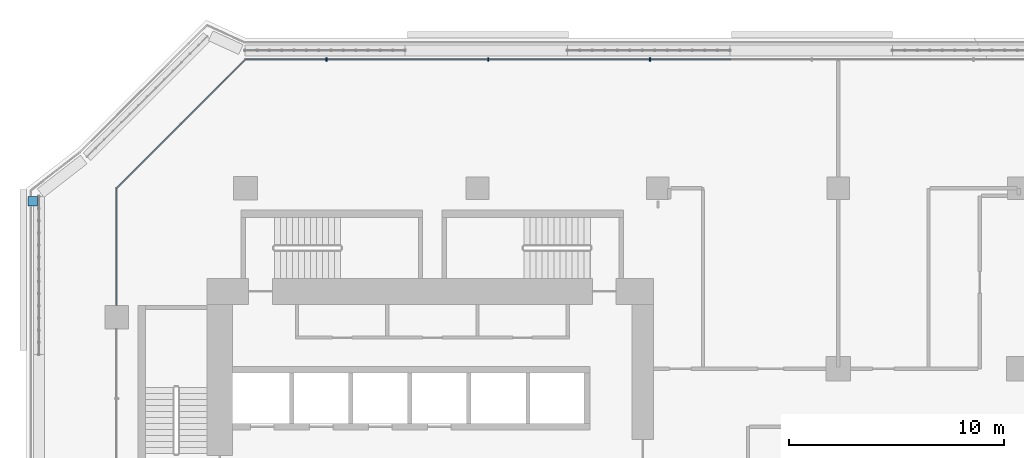
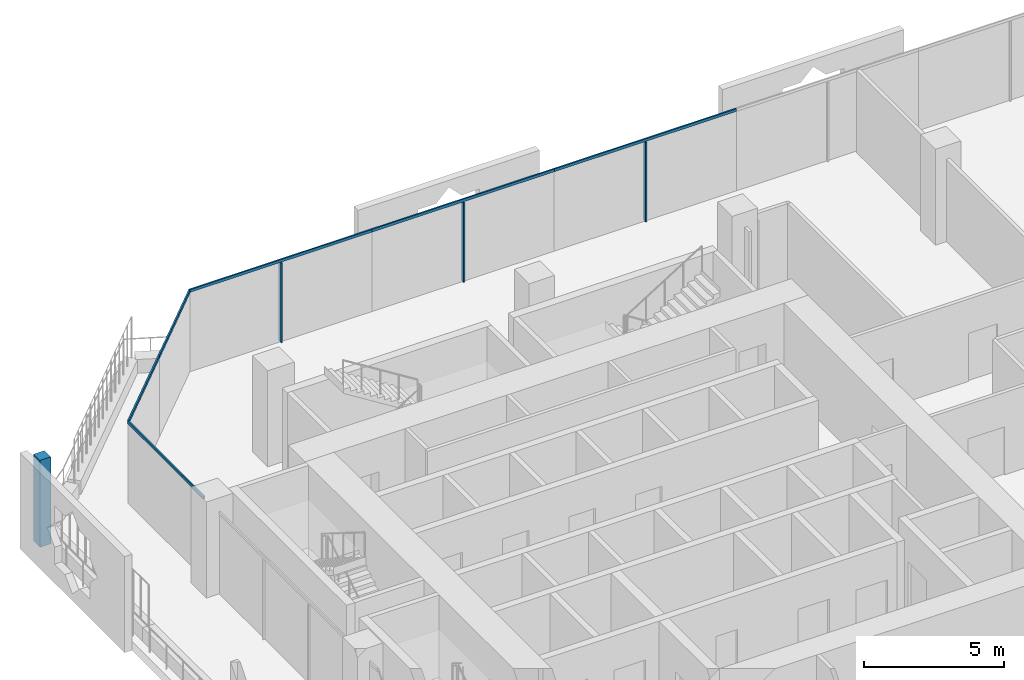
# One storey, part 8 of 27: 10 members, 4 elements without a shape of their own.
"""IFC4 building model written with IfcOpenShell, lengths in metres."""

import ifcopenshell
import ifcopenshell.guid

model = None  # the IFC model being written
_history = None  # IfcOwnerHistory: only IFC2X3 demands one
_inside = {}  # id of a spatial element -> (the spatial element, [elements in it])
_under = {}  # id of a project, library or spatial element -> (it, [spatial elements below it])
_declared = {}  # id of a project -> (the project, [libraries it declares])
_typed = {}  # id of a type object -> (the type object, [elements of that type])
_made_of = {}  # id of a material, layer set ... -> (it, [elements and type objects made of it])


def new_model(schema):
    """Start an empty IFC model of exactly this schema.

    Asked for "IFC4X3", IfcOpenShell would pick the latest addendum, in which some entities
    have other attributes; the version numbers below select the first issue.
    IFC2X3 requires an IfcOwnerHistory on every rooted entity: one is made here for all.
    """
    global model, _history
    if schema == "IFC4X3":
        model = ifcopenshell.file(schema_version=(4, 3, 0, 0))
    else:
        model = ifcopenshell.file(schema=schema)
    _inside.clear()
    _under.clear()
    _declared.clear()
    _typed.clear()
    _made_of.clear()
    _history = None
    if model.schema == "IFC2X3":
        org = make("IfcOrganization", Name="unknown")
        user = make(
            "IfcPersonAndOrganization",
            ThePerson=make("IfcPerson", FamilyName="unknown"),
            TheOrganization=org,
        )
        app = make(
            "IfcApplication",
            ApplicationDeveloper=org,
            Version="unknown",
            ApplicationFullName="unknown",
            ApplicationIdentifier="unknown",
        )
        _history = make(
            "IfcOwnerHistory",
            OwningUser=user,
            OwningApplication=app,
            ChangeAction="ADDED",
            CreationDate=0,
        )
    return model


def make(cls, **values):
    """One entity of the class cls with the attributes given. An attribute that is None is left unset."""
    return model.create_entity(
        cls, **{name: value for name, value in values.items() if value is not None}
    )


def rooted(cls, **values):
    """An entity with a GlobalId (a new one), such as an element, a storey or a relation."""
    return make(cls, GlobalId=ifcopenshell.guid.new(), OwnerHistory=_history, **values)


def si_unit(unit_type, name, prefix=None):
    """IfcSIUnit, for example si_unit("LENGTHUNIT", "METRE", prefix="MILLI")."""
    return make("IfcSIUnit", UnitType=unit_type, Prefix=prefix, Name=name)


def assignment(units):
    """IfcUnitAssignment: the units of a project."""
    return None if units is None else make("IfcUnitAssignment", Units=units)


def point(xyz):
    """IfcCartesianPoint."""
    return None if xyz is None else make("IfcCartesianPoint", Coordinates=xyz)


def direction(xyz):
    """IfcDirection."""
    return None if xyz is None else make("IfcDirection", DirectionRatios=xyz)


def frame(location, z_axis=None, x_axis=None):
    """IfcAxis2Placement3D, a coordinate frame: its origin and axes. An axis left out is left unset."""
    return make(
        "IfcAxis2Placement3D",
        Location=point(location),
        Axis=direction(z_axis),
        RefDirection=direction(x_axis),
    )


def frame_2d(location, x_axis=None):
    """IfcAxis2Placement2D, a coordinate frame in the plane: its origin and x axis."""
    return make(
        "IfcAxis2Placement2D", Location=point(location), RefDirection=direction(x_axis)
    )


def origin():
    """The frame at (0, 0, 0) with its axes left unset."""
    return frame((0.0, 0.0, 0.0))


def origin_2d():
    """The frame at (0, 0) in the plane with its x axis left unset."""
    return frame_2d((0.0, 0.0))


def place(relative_to, where):
    """IfcLocalPlacement: puts the frame where relative to a parent placement (None: the world)."""
    return make(
        "IfcLocalPlacement", PlacementRelTo=relative_to, RelativePlacement=where
    )


def context(
    kind, dimensions, precision=None, world=None, true_north=None, identifier=None
):
    """IfcGeometricRepresentationContext, for example the 3D "Model" context."""
    return make(
        "IfcGeometricRepresentationContext",
        ContextIdentifier=identifier,
        ContextType=kind,
        CoordinateSpaceDimension=dimensions,
        Precision=precision,
        WorldCoordinateSystem=world,
        TrueNorth=true_north,
    )


def subcontext(parent, identifier, kind, view, scale=None):
    """IfcGeometricRepresentationSubContext, for example "Body" below "Model"."""
    return make(
        "IfcGeometricRepresentationSubContext",
        ContextIdentifier=identifier,
        ContextType=kind,
        ParentContext=parent,
        TargetScale=scale,
        TargetView=view,
    )


def project(units=None, contexts=None):
    """IfcProject with its units and contexts."""
    return rooted(
        "IfcProject",
        Name="project",
        RepresentationContexts=contexts,
        UnitsInContext=assignment(units),
    )


def spatial(cls, under=None, at=None, **own):
    """A site, building, storey or space (cls), placed at a placement, below another one or the project."""
    s = rooted(cls, ObjectPlacement=at, **own)
    if under is not None:
        _under.setdefault(under.id(), (under, []))[1].append(s)
    return s


def profile(cls, at=None, kind="AREA", **sizes):
    """A parametric profile (cls). Its sizes go by their IFC names, for example OverallWidth=200.0."""
    return make(cls, ProfileType=kind, Position=at, **sizes)


def rectangle(**sizes):
    """IfcRectangleProfileDef."""
    return profile("IfcRectangleProfileDef", **sizes)


def extrude(swept, where, along, depth):
    """IfcExtrudedAreaSolid: the profile swept, set in the frame where, extruded along a direction by depth."""
    return make(
        "IfcExtrudedAreaSolid",
        SweptArea=swept,
        Position=where,
        ExtrudedDirection=direction(along),
        Depth=depth,
    )


def shape(context_of_items, identifier, shape_type, items):
    """IfcShapeRepresentation: the items that make up one representation, for example the "Body"."""
    return make(
        "IfcShapeRepresentation",
        ContextOfItems=context_of_items,
        RepresentationIdentifier=identifier,
        RepresentationType=shape_type,
        Items=items,
    )


def material(Name=None, Category=None):
    """IfcMaterial."""
    return make("IfcMaterial", Name=Name, Category=Category)


def layer(
    of_material, thickness, ventilated=None, Name=None, Category=None, Priority=None
):
    """IfcMaterialLayer: one layer of a wall or slab, of a material (None: an air gap)."""
    return make(
        "IfcMaterialLayer",
        Material=of_material,
        LayerThickness=thickness,
        IsVentilated=ventilated,
        Name=Name,
        Category=Category,
        Priority=Priority,
    )


def layer_set(layers, Name=None):
    """IfcMaterialLayerSet."""
    return make("IfcMaterialLayerSet", MaterialLayers=layers, LayerSetName=Name)


def material_profile(
    of_material, cross_section, Name=None, Category=None, Priority=None
):
    """IfcMaterialProfile: a cross section and its material."""
    return make(
        "IfcMaterialProfile",
        Name=Name,
        Material=of_material,
        Profile=cross_section,
        Priority=Priority,
        Category=Category,
    )


def profile_set(profiles, Name=None, composite=None):
    """IfcMaterialProfileSet."""
    return make(
        "IfcMaterialProfileSet",
        Name=Name,
        MaterialProfiles=profiles,
        CompositeProfile=composite,
    )


def made_of(thing, what):
    """Note that an element or type object is made of a material, layer set ...; save() writes the relation."""
    if what is not None:
        _made_of.setdefault(what.id(), (what, []))[1].append(thing)
    return thing


def type_object(cls, material=None, **own):
    """A type object (cls), such as IfcWallType, which elements share."""
    return made_of(rooted(cls, **own), material)


def element(
    cls,
    number,
    at=None,
    inside=None,
    cuts=None,
    type_object=None,
    material=None,
    context=None,
    identifier="Body",
    shape_type=None,
    held_by="IfcProductDefinitionShape",
    body=None,
    shapes=None,
    **own,
):
    """One element of the class cls, such as IfcWall. Its Tag is "e" and its number.

    at: its placement. inside: the storey or other place that contains it. cuts: it is an
    opening in that element (IfcRelVoidsElement). A single representation is given by context,
    identifier, shape_type and body (its items); several are given by shapes. held_by: the class
    of the entity that holds the representations. save() writes the other relations.
    """
    e = rooted(cls, Tag="e%d" % number, ObjectPlacement=at, **own)
    if body is not None:
        shapes = [shape(context, identifier, shape_type, body)]
    if shapes is not None:
        e.Representation = make(held_by, Representations=shapes)
    if inside is not None:
        _inside.setdefault(inside.id(), (inside, []))[1].append(e)
    if cuts is not None:
        rooted(
            "IfcRelVoidsElement", RelatingBuildingElement=cuts, RelatedOpeningElement=e
        )
    if type_object is not None:
        _typed.setdefault(type_object.id(), (type_object, []))[1].append(e)
    return made_of(e, material)


def aggregate(whole, parts):
    """IfcRelAggregates: a whole, such as a stair, and the parts it consists of."""
    return rooted("IfcRelAggregates", RelatingObject=whole, RelatedObjects=parts)


def save(model, path):
    """Write the relations noted so far, then the file.

    IfcRelAggregates (storeys below a building ...), IfcRelContainedInSpatialStructure (elements
    in a storey), IfcRelDefinesByType, IfcRelAssociatesMaterial and IfcRelDeclares: one each for
    every whole, place, type object, material and project.
    """
    for whole, parts in _under.values():
        aggregate(whole, parts)
    for where, things in _inside.values():
        rooted(
            "IfcRelContainedInSpatialStructure",
            RelatedElements=things,
            RelatingStructure=where,
        )
    for kind, things in _typed.values():
        rooted("IfcRelDefinesByType", RelatedObjects=things, RelatingType=kind)
    for what, things in _made_of.values():
        rooted("IfcRelAssociatesMaterial", RelatedObjects=things, RelatingMaterial=what)
    for by, libraries in _declared.values():
        rooted("IfcRelDeclares", RelatingContext=by, RelatedDefinitions=libraries)
    model.write(path)


model = new_model("IFC4")

# Units and contexts
model_context = context("Model", 3, precision=1e-05, world=origin(), true_north=direction((0.0, 1.0)))
body_context = subcontext(model_context, "Body", "Model", "MODEL_VIEW")
ifc_project = project(units=[si_unit("LENGTHUNIT", "METRE"), si_unit("AREAUNIT", "SQUARE_METRE"), si_unit("VOLUMEUNIT", "CUBIC_METRE"), si_unit("PLANEANGLEUNIT", "RADIAN"), si_unit("MASSUNIT", "GRAM", prefix="KILO")], contexts=[model_context])

# Site, building, storey
site_placement = place(None, origin())
site = spatial("IfcSite", under=ifc_project, at=site_placement, CompositionType="ELEMENT")
building_placement = place(site_placement, origin())
building = spatial("IfcBuilding", under=site, at=building_placement, Name="Kawkab Arch Medical Tower", CompositionType="ELEMENT")
storey_placement = place(building_placement, frame((0.0, 0.0, 103.0)))
storey = spatial("IfcBuildingStorey", under=building, at=storey_placement, Name="L23", CompositionType="ELEMENT", Elevation=103.0)

# Curtain wall, members
ifc_material_1 = material(Name="Bronze anodised aluminium curtain wall frame", Category="aluminium")
ifc_layer_1 = layer(ifc_material_1, 0.159912109375)
ifc_layer_set_1 = layer_set([ifc_layer_1], Name="Bronze anodised aluminium curtain wall frame")
curtain_wall_type_1 = type_object("IfcCurtainWallType", Name="CW1 ward curtain wall", PredefinedType="NOTDEFINED", material=ifc_layer_set_1)
placement = place(storey_placement, origin())
curtain_wall_1 = element("IfcCurtainWall", 1, at=placement, inside=storey, type_object=curtain_wall_type_1, Name="CW1 Ward curtain wall R11", PredefinedType="NOTDEFINED")
ifc_material_2 = material(Name="Bronze anodised aluminium curtain wall frame", Category="aluminium")
ifc_material_profile_1 = material_profile(ifc_material_2, rectangle(XDim=0.179931640625, YDim=0.06005859375, at=origin_2d()), Name="AL 60x180")
ifc_profile_set_1 = profile_set([ifc_material_profile_1], Name="Bronze anodised aluminium curtain wall frame")
member_type_1 = type_object("IfcMemberType", Name="CW1 mullion 60 x 180", PredefinedType="MULLION", material=ifc_profile_set_1)
member_1_placement = place(storey_placement, frame((24.833251953125, 6.0, 0.0), z_axis=(0.0, 0.0, 1.0), x_axis=(0.0, -1.0, 0.0)))
member_1 = element("IfcMember", 2, at=member_1_placement, type_object=member_type_1, Name="CW1 mullion 7.1", PredefinedType="MULLION", context=body_context, shape_type="SweptSolid", body=[
    extrude(rectangle(XDim=0.179931640625, YDim=0.06005859375, at=origin_2d()), origin(), (0.0, 0.0, 1.0), 3.47998046875),
])
member_2_placement = place(storey_placement, frame((17.300048828125, 6.0, 0.0), z_axis=(0.0, 0.0, 1.0), x_axis=(0.0, -1.0, 0.0)))
member_2 = element("IfcMember", 3, at=member_2_placement, type_object=member_type_1, Name="CW1 mullion 8.1", PredefinedType="MULLION", context=body_context, shape_type="SweptSolid", body=[
    extrude(rectangle(XDim=0.179931640625, YDim=0.06005859375, at=origin_2d()), origin(), (0.0, 0.0, 1.0), 3.47998046875),
])
member_3_placement = place(storey_placement, frame((9.7666015625, 6.0, 0.0), z_axis=(0.0, 0.0, 1.0), x_axis=(0.0, -1.0, 0.0)))
member_3 = element("IfcMember", 4, at=member_3_placement, type_object=member_type_1, Name="CW1 mullion 9.1", PredefinedType="MULLION", context=body_context, shape_type="SweptSolid", body=[
    extrude(rectangle(XDim=0.179931640625, YDim=0.06005859375, at=origin_2d()), origin(), (0.0, 0.0, 1.0), 3.47998046875),
])
ifc_material_3 = material(Name="Bronze anodised aluminium curtain wall frame", Category="aluminium")
ifc_material_profile_2 = material_profile(ifc_material_3, rectangle(XDim=0.06005859375, YDim=0.1201171875, at=origin_2d()), Name="AL 60x120")
ifc_profile_set_2 = profile_set([ifc_material_profile_2], Name="Bronze anodised aluminium curtain wall frame")
member_type_2 = type_object("IfcMemberType", Name="CW1 transom 120 x 60", PredefinedType="USERDEFINED", material=ifc_profile_set_2)
member_4_placement = place(storey_placement, frame((28.60009765625, 6.0, 3.5400390625), z_axis=(-1.0, 0.0, 0.0), x_axis=(0.0, -1.0, 0.0)))
member_4 = element("IfcMember", 5, at=member_4_placement, type_object=member_type_2, Name="CW1 transom 7", ObjectType="TRANSOM", PredefinedType="USERDEFINED", context=body_context, shape_type="SweptSolid", body=[
    extrude(rectangle(XDim=0.06005859375, YDim=0.1201171875, at=origin_2d()), origin(), (0.0, 0.0, 1.0), 7.533447265625),
])
member_5_placement = place(storey_placement, frame((21.066650390625, 6.0, 3.5400390625), z_axis=(-1.0, 0.0, 0.0), x_axis=(0.0, -1.0, 0.0)))
member_5 = element("IfcMember", 6, at=member_5_placement, type_object=member_type_2, Name="CW1 transom 8", ObjectType="TRANSOM", PredefinedType="USERDEFINED", context=body_context, shape_type="SweptSolid", body=[
    extrude(rectangle(XDim=0.06005859375, YDim=0.1201171875, at=origin_2d()), origin(), (0.0, 0.0, 1.0), 7.533203125),
])
member_6_placement = place(storey_placement, frame((13.533447265625, 6.0, 3.5400390625), z_axis=(-1.0, 0.0, 0.0), x_axis=(0.0, -1.0, 0.0)))
member_6 = element("IfcMember", 7, at=member_6_placement, type_object=member_type_2, Name="CW1 transom 9", ObjectType="TRANSOM", PredefinedType="USERDEFINED", context=body_context, shape_type="SweptSolid", body=[
    extrude(rectangle(XDim=0.06005859375, YDim=0.1201171875, at=origin_2d()), origin(), (0.0, 0.0, 1.0), 7.533447265625),
])
aggregate(curtain_wall_1, [member_4, member_1, member_5, member_2, member_6, member_3])

# Curtain wall, member
curtain_wall_2 = element("IfcCurtainWall", 8, at=placement, inside=storey, type_object=curtain_wall_type_1, Name="CW1 Ward curtain wall R13", PredefinedType="NOTDEFINED")
member_7_placement = place(storey_placement, frame((0.0, 0.0, 3.5400390625), z_axis=(0.0, -1.0, 0.0), x_axis=(1.0, 0.0, 0.0)))
member_7 = element("IfcMember", 9, at=member_7_placement, type_object=member_type_2, Name="CW1 transom 1", ObjectType="TRANSOM", PredefinedType="USERDEFINED", context=body_context, shape_type="SweptSolid", body=[
    extrude(rectangle(XDim=0.06005859375, YDim=0.1201171875, at=origin_2d()), origin(), (0.0, 0.0, 1.0), 5.449951171875),
])
aggregate(curtain_wall_2, [member_7])

# Curtain wall, members
ifc_material_4 = material(Name="Bronze anodised aluminium curtain wall frame", Category="aluminium")
ifc_layer_2 = layer(ifc_material_4, 0.159912109375)
ifc_layer_set_2 = layer_set([ifc_layer_2], Name="Bronze anodised aluminium curtain wall frame")
curtain_wall_type_2 = type_object("IfcCurtainWallType", Name="CW2 chamfer curtain wall", PredefinedType="NOTDEFINED", material=ifc_layer_set_2)
curtain_wall_3 = element("IfcCurtainWall", 10, at=placement, inside=storey, type_object=curtain_wall_type_2, Name="CW2 Chamfer curtain wall R12", PredefinedType="NOTDEFINED")
ifc_material_5 = material(Name="Bronze anodised aluminium curtain wall frame", Category="aluminium")
ifc_material_profile_3 = material_profile(ifc_material_5, rectangle(XDim=0.06005859375, YDim=0.139892578125, at=origin_2d()), Name="AL 60x140")
ifc_profile_set_3 = profile_set([ifc_material_profile_3], Name="Bronze anodised aluminium curtain wall frame")
member_type_3 = type_object("IfcMemberType", Name="CW2 transom 140 x 60", PredefinedType="USERDEFINED", material=ifc_profile_set_3)
member_8_placement = place(storey_placement, frame((6.0, 6.0, 3.530029296875), z_axis=(-0.707106781187, -0.707106781187, 0.0), x_axis=(0.707106781187, -0.707106781187, 0.0)))
member_8 = element("IfcMember", 11, at=member_8_placement, type_object=member_type_3, Name="CW2 transom 1", ObjectType="TRANSOM", PredefinedType="USERDEFINED", context=body_context, shape_type="SweptSolid", body=[
    extrude(rectangle(XDim=0.06005859375, YDim=0.139892578125, at=origin_2d()), origin(), (0.0, 0.0, 1.0), 4.24267578125),
])
member_9_placement = place(storey_placement, frame((3.0, 3.0, 3.530029296875), z_axis=(-0.707106781187, -0.707106781187, 0.0), x_axis=(0.707106781187, -0.707106781187, 0.0)))
member_9 = element("IfcMember", 12, at=member_9_placement, type_object=member_type_3, Name="CW2 transom 2", ObjectType="TRANSOM", PredefinedType="USERDEFINED", context=body_context, shape_type="SweptSolid", body=[
    extrude(rectangle(XDim=0.06005859375, YDim=0.139892578125, at=origin_2d()), origin(), (0.0, 0.0, 1.0), 4.24267578125),
])
aggregate(curtain_wall_3, [member_8, member_9])

# Curtain wall, member
ifc_material_6 = material(Name="Bronze anodised aluminium climber frame, planted", Category="aluminium")
ifc_layer_3 = layer(ifc_material_6, 0.449951171875)
ifc_layer_set_3 = layer_set([ifc_layer_3], Name="Bronze anodised aluminium climber frame, planted")
curtain_wall_type_3 = type_object("IfcCurtainWallType", Name="Planted climber frame", PredefinedType="NOTDEFINED", material=ifc_layer_set_3)
curtain_wall_4 = element("IfcCurtainWall", 13, at=placement, inside=storey, type_object=curtain_wall_type_3, Name="Planted climber frame L23", PredefinedType="NOTDEFINED")
ifc_material_7 = material(Name="Bronze anodised aluminium climber frame, planted", Category="aluminium")
ifc_material_profile_4 = material_profile(ifc_material_7, rectangle(XDim=0.449951171875, YDim=0.449951171875, at=origin_2d()), Name="Post 450x450")
ifc_profile_set_4 = profile_set([ifc_material_profile_4], Name="Bronze anodised aluminium climber frame, planted")
member_type_4 = type_object("IfcMemberType", Name="Planted climber post 450 x 450", PredefinedType="MULLION", material=ifc_profile_set_4)
member_10_placement = place(storey_placement, frame((-3.89990234375, -0.596923828125, 0.0), z_axis=(0.0, 0.0, 1.0), x_axis=(1.0, 0.0, 0.0)))
member_10 = element("IfcMember", 14, at=member_10_placement, type_object=member_type_4, Name="Planted climber post L23.LOG-01-02.2", PredefinedType="MULLION", context=body_context, shape_type="SweptSolid", body=[
    extrude(rectangle(XDim=0.449951171875, YDim=0.449951171875, at=origin_2d()), origin(), (0.0, 0.0, 1.0), 3.800048828125),
])
aggregate(curtain_wall_4, [member_10])

save(model, "model.ifc")
